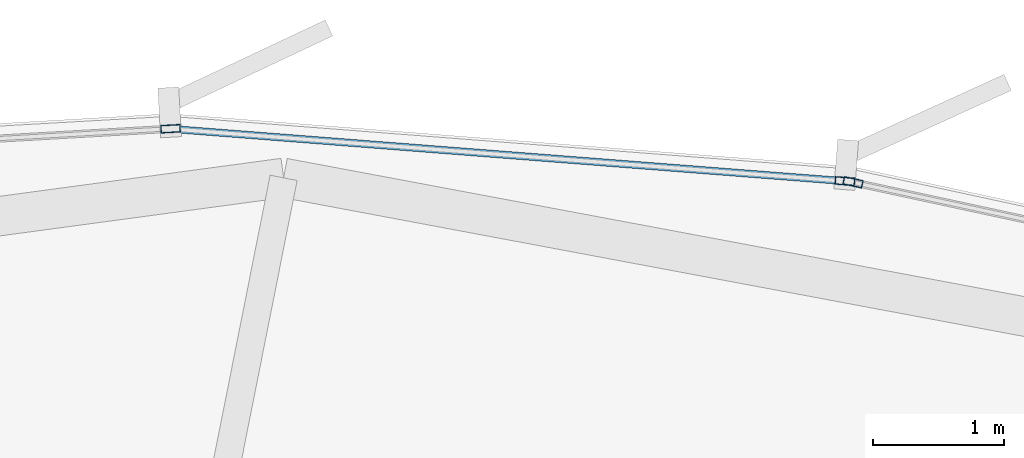
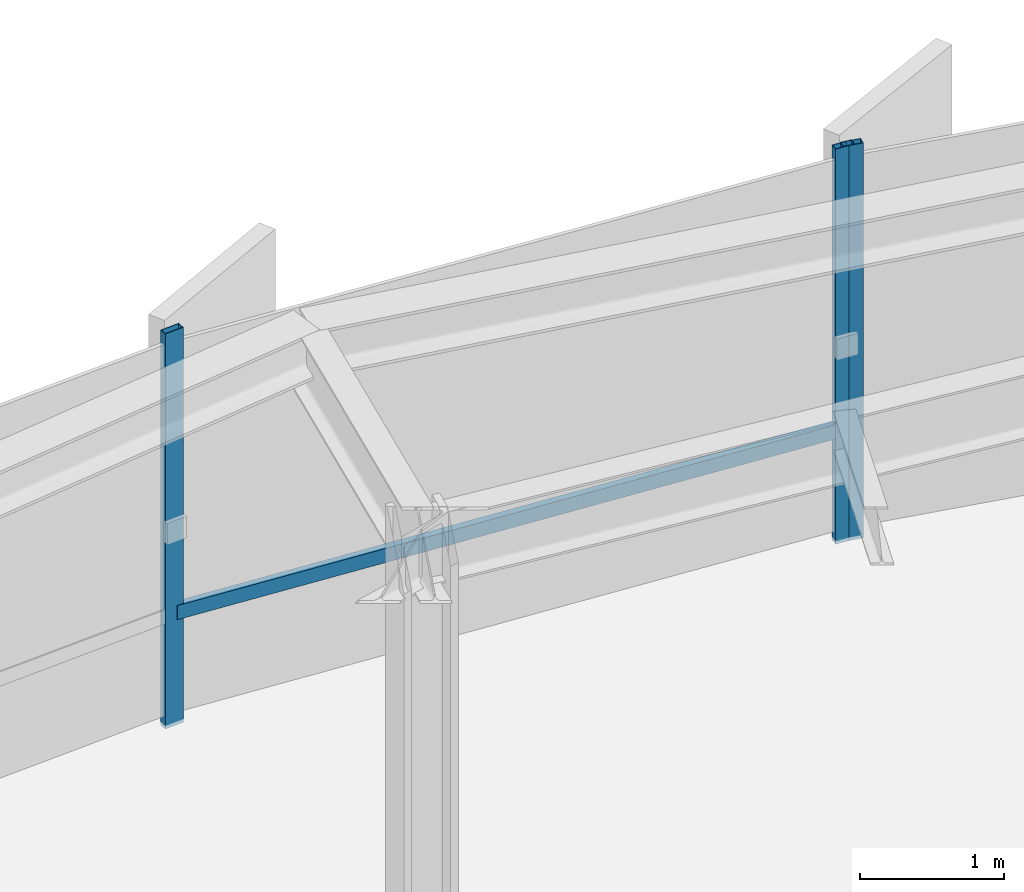
# One storey, part 26 of 35: 4 members, 2 elements without a shape of their own.
"""IFC4 building model written with IfcOpenShell, lengths in metres."""

from ifc_helpers import new_model, si_unit, direction, frame, origin, origin_2d, place, context, subcontext, project, spatial, hollow_rectangle, extrude, source, transform, mapped, material, layer, layer_set, material_profile, profile_set, type_object, element, aggregate, save


model = new_model("IFC4")

# Units and contexts
model_context = context("Model", 3, precision=1e-05, world=origin(), true_north=direction((0.0, 1.0)))
body_context = subcontext(model_context, "Body", "Model", "MODEL_VIEW")
ifc_project = project(units=[si_unit("LENGTHUNIT", "METRE"), si_unit("AREAUNIT", "SQUARE_METRE"), si_unit("VOLUMEUNIT", "CUBIC_METRE"), si_unit("PLANEANGLEUNIT", "RADIAN"), si_unit("MASSUNIT", "GRAM", prefix="KILO"), si_unit("THERMODYNAMICTEMPERATUREUNIT", "KELVIN")], contexts=[model_context])

# Site, building, storey
site_placement = place(None, origin())
site = spatial("IfcSite", under=ifc_project, at=site_placement, CompositionType="ELEMENT")
building_placement = place(site_placement, origin())
building = spatial("IfcBuilding", under=site, at=building_placement, Name="Kethvar Cultural Tower", CompositionType="ELEMENT")
storey_placement = place(building_placement, frame((0.0, 0.0, 96.39990234375)))
storey = spatial("IfcBuildingStorey", under=building, at=storey_placement, Name="L23", CompositionType="ELEMENT", Elevation=96.39990234375)

# Curtain wall, member
ifc_material = material(Name="Aluminium 6063-T6", Category="aluminium")
ifc_layer = layer(ifc_material, 0.179931640625, Name="Aluminium 6063-T6", Category="aluminium")
ifc_layer_set = layer_set([ifc_layer], Name="Aluminium 6063-T6 (180 mm)")
curtain_wall_type = type_object("IfcCurtainWallType", Name="CW-SYS-03-Z2", PredefinedType="NOTDEFINED", material=ifc_layer_set)
curtain_wall_1_placement = place(storey_placement, origin())
curtain_wall_1 = element("IfcCurtainWall", 1, at=curtain_wall_1_placement, inside=storey, type_object=curtain_wall_type, Name="L23 Curtain Wall Run 01", PredefinedType="NOTDEFINED")
ifc_material_profile_1 = material_profile(ifc_material, hollow_rectangle(XDim=0.06005859375, YDim=0.14990234375, WallThickness=0.0048828125, at=origin_2d()), Name="Aluminium 6063-T6 — RHS150x60x5")
ifc_profile_set_1 = profile_set([ifc_material_profile_1], Name="Aluminium 6063-T6 — RHS150x60x5")
member_type_1 = type_object("IfcMemberType", Name="CW-SYS-03-Z2-MUL", PredefinedType="MULLION", material=ifc_profile_set_1)
shared_shape_1 = source(origin(), body_context, "Body", "SweptSolid", [
    extrude(hollow_rectangle(XDim=0.06005859375, YDim=0.14990234375, WallThickness=0.0048828125, at=origin_2d()), origin(), (0.0, 0.0, 1.0), 3.35009765625),
])
member_1_placement = place(storey_placement, frame((55.90576171875, 51.6640625, 0.0), z_axis=(0.0, 0.0, 1.0), x_axis=(-0.210949480125, -0.977496965128, 0.0)))
member_1 = element("IfcMember", 2, at=member_1_placement, type_object=member_type_1, Name="CW-L23-R01 Mullion 7", PredefinedType="MULLION", context=body_context, shape_type="MappedRepresentation", body=[
    mapped(shared_shape_1, transform((0.0, 0.0, 0.0), scale=1.0)),
])
aggregate(curtain_wall_1, [member_1])

# Curtain wall, members
curtain_wall_2_placement = place(storey_placement, origin())
curtain_wall_2 = element("IfcCurtainWall", 3, at=curtain_wall_2_placement, inside=storey, type_object=curtain_wall_type, Name="L23 Curtain Wall Run 02", PredefinedType="NOTDEFINED")
member_2_placement = place(storey_placement, frame((55.843994140625, 51.673095703125, 0.0), z_axis=(0.0, 0.0, 1.0), x_axis=(-0.077275875439, -0.997009748736, 0.0)))
member_2 = element("IfcMember", 4, at=member_2_placement, type_object=member_type_1, Name="CW-L23-R02 Mullion 1", PredefinedType="MULLION", context=body_context, shape_type="MappedRepresentation", body=[
    mapped(shared_shape_1, transform((0.0, 0.0, 0.0), scale=1.0)),
])
member_3_placement = place(storey_placement, frame((50.689697265625, 52.073486328125, 0.0), z_axis=(0.0, 0.0, 1.0), x_axis=(0.057250385792, -0.99835985162, 0.0)))
member_3 = element("IfcMember", 5, at=member_3_placement, type_object=member_type_1, Name="CW-L23-R02 Mullion 2", PredefinedType="MULLION", context=body_context, shape_type="MappedRepresentation", body=[
    mapped(shared_shape_1, transform((0.0, 0.0, 0.0), scale=1.0)),
])
ifc_material_profile_2 = material_profile(ifc_material, hollow_rectangle(XDim=0.054931640625, YDim=0.1201171875, WallThickness=0.00390625, at=origin_2d()), Name="Aluminium 6063-T6 — RHS120x55x4")
ifc_profile_set_2 = profile_set([ifc_material_profile_2], Name="Aluminium 6063-T6 — RHS120x55x4")
member_type_2 = type_object("IfcMemberType", Name="CW-SYS-03-Z2-TRN", PredefinedType="USERDEFINED", material=ifc_profile_set_2)
shared_shape_2 = source(origin(), body_context, "Body", "SweptSolid", [
    extrude(hollow_rectangle(XDim=0.054931640625, YDim=0.1201171875, WallThickness=0.00390625, at=origin_2d()), origin(), (0.0, 0.0, 1.0), 5.137939453125),
])
member_4_placement = place(storey_placement, frame((55.83984375, 51.67333984375, 0.9501953125), z_axis=(-0.997010720135, 0.07726334148, 0.0), x_axis=(-0.07726334148, -0.997010720135, 0.0)))
member_4 = element("IfcMember", 6, at=member_4_placement, type_object=member_type_2, Name="CW-L23-R02 Transom 1", ObjectType="TRANSOM", PredefinedType="USERDEFINED", context=body_context, shape_type="MappedRepresentation", body=[
    mapped(shared_shape_2, transform((0.0, 0.0, 0.0), scale=1.0)),
])
aggregate(curtain_wall_2, [member_2, member_3, member_4])

save(model, "model.ifc")
